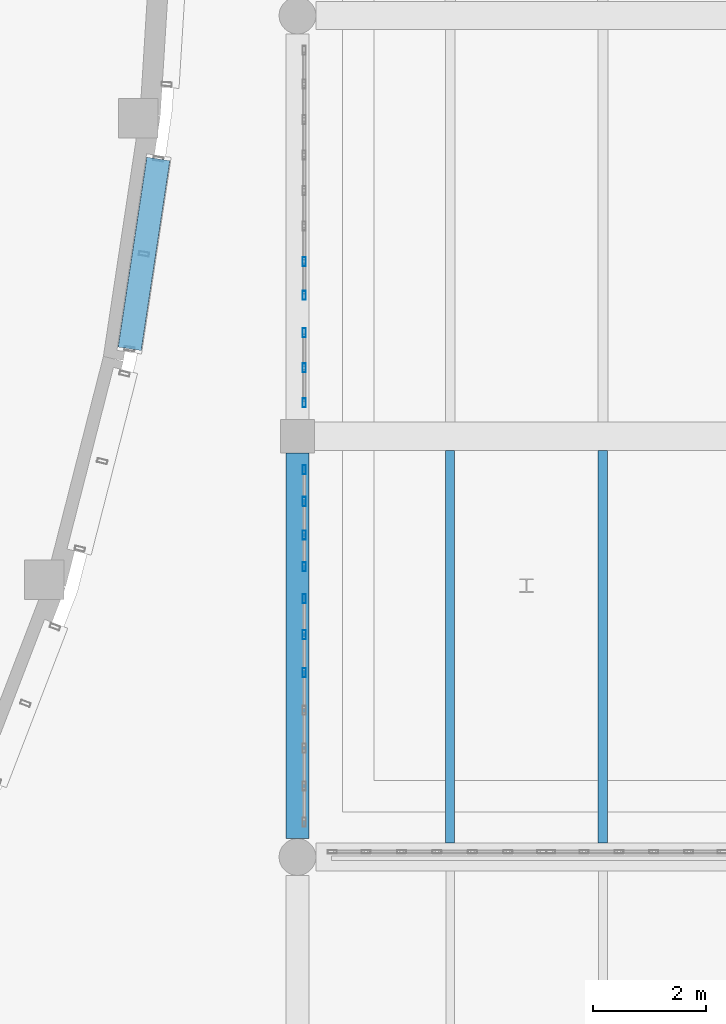
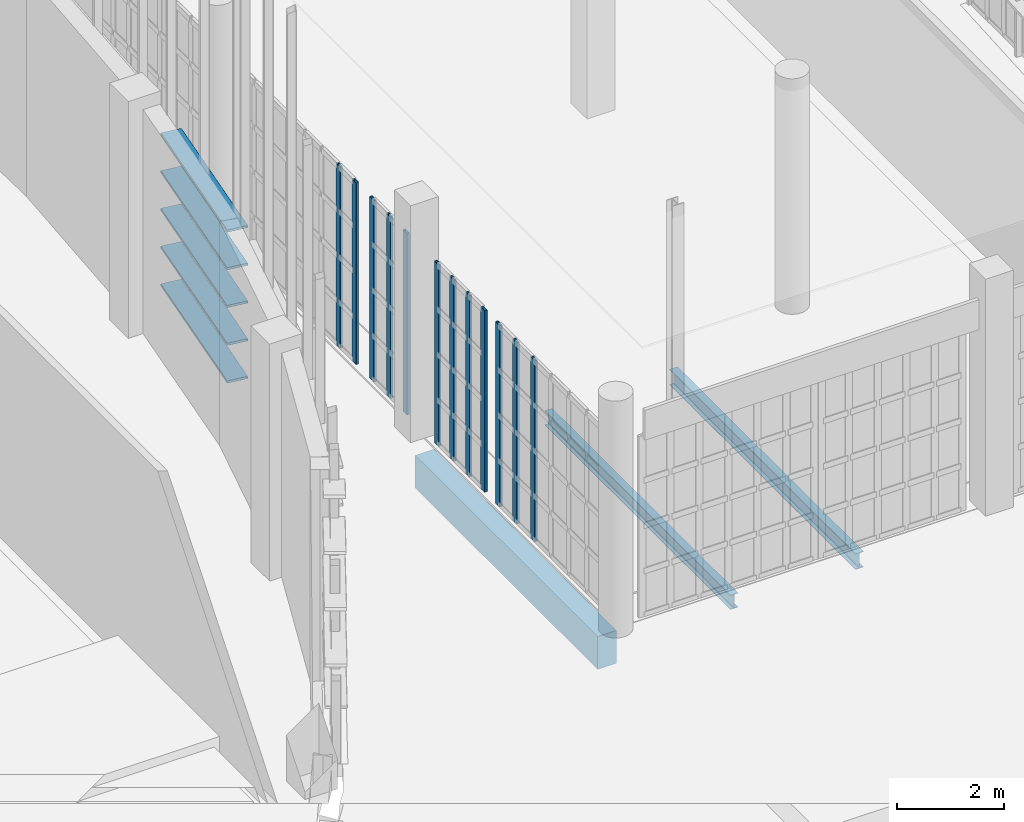
# One storey, part 218 of 372: 17 members, 3 beams, 4 elements without a shape of their own.
"""IFC4 building model written with IfcOpenShell, lengths in metres."""

from ifc_helpers import new_model, si_unit, direction, frame, origin, origin_2d, place, context, subcontext, project, spatial, rectangle, hollow_rectangle, i_section, extrude, material, material_profile, profile_set, type_object, element, aggregate, save


model = new_model("IFC4")

# Units and contexts
model_context = context("Model", 3, precision=1e-05, world=origin(), true_north=direction((0.0, 1.0)))
body_context = subcontext(model_context, "Body", "Model", "MODEL_VIEW")
ifc_project = project(units=[si_unit("LENGTHUNIT", "METRE"), si_unit("AREAUNIT", "SQUARE_METRE"), si_unit("VOLUMEUNIT", "CUBIC_METRE"), si_unit("PLANEANGLEUNIT", "RADIAN"), si_unit("MASSUNIT", "GRAM", prefix="KILO")], contexts=[model_context])

# Site, building, storey
site_placement = place(None, origin())
site = spatial("IfcSite", under=ifc_project, at=site_placement, CompositionType="ELEMENT")
building_placement = place(site_placement, origin())
building = spatial("IfcBuilding", under=site, at=building_placement, Name="Kaelora Sail Theatre", CompositionType="ELEMENT")
storey_placement = place(building_placement, origin())
storey = spatial("IfcBuildingStorey", under=building, at=storey_placement, Name="L00", CompositionType="ELEMENT", Elevation=0.0)

# Members
ifc_material_1 = material(Name="Anodised aluminium 6063-T6", Category="aluminium")
ifc_material_profile_1 = material_profile(ifc_material_1, hollow_rectangle(XDim=0.419921875, YDim=0.054931640625, WallThickness=0.00390625, InnerFilletRadius=0.00390625, OuterFilletRadius=0.008056640625, at=origin_2d()), Name="LOUVRE 420x55x4")
ifc_profile_set_1 = profile_set([ifc_material_profile_1], Name="Anodised aluminium 6063-T6")
member_type_1 = type_object("IfcMemberType", Name="ARC-MEM-LVR-420", PredefinedType="USERDEFINED", material=ifc_profile_set_1)
for number, where, z_axis, x_axis, name in (
    (1, (104.340087890625, 51.04443359375, 1.25), (-0.149366728662, -0.98878186693, 0.0), (0.98878186693, -0.149366728662, 0.0), "Studio Theatre Sail Drum horizontal solar louvre C3-01"),
    (2, (104.340087890625, 51.04443359375, 2.110107421875), (-0.149366728662, -0.98878186693, 0.0), (0.98878186693, -0.149366728662, 0.0), "Studio Theatre Sail Drum horizontal solar louvre C3-02"),
    (3, (104.340087890625, 51.04443359375, 2.969970703125), (-0.149366728662, -0.98878186693, 0.0), (0.98878186693, -0.149366728662, 0.0), "Studio Theatre Sail Drum horizontal solar louvre C3-03"),
    (4, (104.340087890625, 51.04443359375, 3.830078125), (-0.149366728662, -0.98878186693, 0.0), (0.98878186693, -0.149366728662, 0.0), "Studio Theatre Sail Drum horizontal solar louvre C3-04"),
    (5, (104.340087890625, 51.04443359375, 4.68994140625), (-0.149366728662, -0.98878186693, 0.0), (0.98878186693, -0.149366728662, 0.0), "Studio Theatre Sail Drum horizontal solar louvre C3-05"),
):
    element("IfcMember", number, at=place(storey_placement, frame(where, z_axis=z_axis, x_axis=x_axis)), inside=storey, type_object=member_type_1, Name=name, ObjectType="LOUVRE", PredefinedType="USERDEFINED", context=body_context, shape_type="SweptSolid", body=[
        extrude(hollow_rectangle(XDim=0.419921875, YDim=0.054931640625, WallThickness=0.00390625, InnerFilletRadius=0.00390625, OuterFilletRadius=0.008056640625, at=origin_2d()), origin(), (0.0, 0.0, 1.0), 3.396484375),
    ])

# Curtain wall, members
ifc_material_2 = material(Name="Anodised aluminium and solar-control low-E IGU", Category="aluminium")
curtain_wall_type = type_object("IfcCurtainWallType", Name="ARC-CW-CW-FOY2", PredefinedType="NOTDEFINED", material=ifc_material_2)
curtain_wall_1_placement = place(storey_placement, origin())
curtain_wall_1 = element("IfcCurtainWall", 6, at=curtain_wall_1_placement, inside=storey, type_object=curtain_wall_type, Name="East Interstitial Foyer West Glazed Return L00-01", PredefinedType="NOTDEFINED")
ifc_material_3 = material(Name="Anodised aluminium 6063-T6", Category="aluminium")
ifc_material_profile_2 = material_profile(ifc_material_3, hollow_rectangle(XDim=0.06005859375, YDim=0.159912109375, WallThickness=0.00390625, InnerFilletRadius=0.00390625, OuterFilletRadius=0.008056640625, at=origin_2d()), Name="ALU-MULL 60x160x4")
ifc_profile_set_2 = profile_set([ifc_material_profile_2], Name="Anodised aluminium 6063-T6")
member_type_2 = type_object("IfcMemberType", Name="ARC-MEM-ML-160", PredefinedType="MULLION", material=ifc_profile_set_2)
member_1_placement = place(storey_placement, frame((106.919921875, 41.961669921875, 0.0), z_axis=(0.0, 0.0, 1.0), x_axis=(-1.0, 0.0, 0.0)))
member_1 = element("IfcMember", 7, at=member_1_placement, type_object=member_type_2, Name="CW-FOY2 mullion 5", PredefinedType="MULLION", context=body_context, shape_type="SweptSolid", body=[
    extrude(hollow_rectangle(XDim=0.06005859375, YDim=0.159912109375, WallThickness=0.00390625, InnerFilletRadius=0.00390625, OuterFilletRadius=0.008056640625, at=origin_2d()), origin(), (0.0, 0.0, 1.0), 4.136962890625),
])
member_2_placement = place(storey_placement, frame((106.919921875, 42.630859375, 0.0), z_axis=(0.0, 0.0, 1.0), x_axis=(-1.0, 0.0, 0.0)))
member_2 = element("IfcMember", 8, at=member_2_placement, type_object=member_type_2, Name="CW-FOY2 mullion 6", PredefinedType="MULLION", context=body_context, shape_type="SweptSolid", body=[
    extrude(hollow_rectangle(XDim=0.06005859375, YDim=0.159912109375, WallThickness=0.00390625, InnerFilletRadius=0.00390625, OuterFilletRadius=0.008056640625, at=origin_2d()), origin(), (0.0, 0.0, 1.0), 4.136962890625),
])
member_3_placement = place(storey_placement, frame((106.919921875, 43.27001953125, 0.0), z_axis=(0.0, 0.0, 1.0), x_axis=(-1.0, 0.0, 0.0)))
member_3 = element("IfcMember", 9, at=member_3_placement, type_object=member_type_2, Name="CW-FOY2 mullion 7", PredefinedType="MULLION", context=body_context, shape_type="SweptSolid", body=[
    extrude(hollow_rectangle(XDim=0.06005859375, YDim=0.159912109375, WallThickness=0.00390625, InnerFilletRadius=0.00390625, OuterFilletRadius=0.008056640625, at=origin_2d()), origin(), (0.0, 0.0, 1.0), 4.136962890625),
])
aggregate(curtain_wall_1, [member_1, member_2, member_3])

curtain_wall_2_placement = place(storey_placement, origin())
curtain_wall_2 = element("IfcCurtainWall", 10, at=curtain_wall_2_placement, inside=storey, type_object=curtain_wall_type, Name="East Interstitial Foyer West Glazed Return L00-02", PredefinedType="NOTDEFINED")
member_4_placement = place(storey_placement, frame((106.919921875, 43.830078125, 0.0), z_axis=(0.0, 0.0, 1.0), x_axis=(-1.0, 0.0, 0.0)))
member_4 = element("IfcMember", 11, at=member_4_placement, type_object=member_type_2, Name="CW-FOY2 mullion 1", PredefinedType="MULLION", context=body_context, shape_type="SweptSolid", body=[
    extrude(hollow_rectangle(XDim=0.06005859375, YDim=0.159912109375, WallThickness=0.00390625, InnerFilletRadius=0.00390625, OuterFilletRadius=0.008056640625, at=origin_2d()), origin(), (0.0, 0.0, 1.0), 4.136962890625),
])
member_5_placement = place(storey_placement, frame((106.919921875, 44.393310546875, 0.0), z_axis=(0.0, 0.0, 1.0), x_axis=(-1.0, 0.0, 0.0)))
member_5 = element("IfcMember", 12, at=member_5_placement, type_object=member_type_2, Name="CW-FOY2 mullion 2", PredefinedType="MULLION", context=body_context, shape_type="SweptSolid", body=[
    extrude(hollow_rectangle(XDim=0.06005859375, YDim=0.159912109375, WallThickness=0.00390625, InnerFilletRadius=0.00390625, OuterFilletRadius=0.008056640625, at=origin_2d()), origin(), (0.0, 0.0, 1.0), 4.136962890625),
])
member_6_placement = place(storey_placement, frame((106.919921875, 44.986572265625, 0.0), z_axis=(0.0, 0.0, 1.0), x_axis=(-1.0, 0.0, 0.0)))
member_6 = element("IfcMember", 13, at=member_6_placement, type_object=member_type_2, Name="CW-FOY2 mullion 3", PredefinedType="MULLION", context=body_context, shape_type="SweptSolid", body=[
    extrude(hollow_rectangle(XDim=0.06005859375, YDim=0.159912109375, WallThickness=0.00390625, InnerFilletRadius=0.00390625, OuterFilletRadius=0.008056640625, at=origin_2d()), origin(), (0.0, 0.0, 1.0), 4.136962890625),
])
member_7_placement = place(storey_placement, frame((106.919921875, 45.550048828125, 0.0), z_axis=(0.0, 0.0, 1.0), x_axis=(-1.0, 0.0, 0.0)))
member_7 = element("IfcMember", 14, at=member_7_placement, type_object=member_type_2, Name="CW-FOY2 mullion 4", PredefinedType="MULLION", context=body_context, shape_type="SweptSolid", body=[
    extrude(hollow_rectangle(XDim=0.06005859375, YDim=0.159912109375, WallThickness=0.00390625, InnerFilletRadius=0.00390625, OuterFilletRadius=0.008056640625, at=origin_2d()), origin(), (0.0, 0.0, 1.0), 4.136962890625),
])
aggregate(curtain_wall_2, [member_4, member_5, member_6, member_7])

curtain_wall_3_placement = place(storey_placement, origin())
curtain_wall_3 = element("IfcCurtainWall", 15, at=curtain_wall_3_placement, inside=storey, type_object=curtain_wall_type, Name="East Interstitial Foyer West Glazed Return L00-02", PredefinedType="NOTDEFINED")
member_8_placement = place(storey_placement, frame((106.919921875, 46.72998046875, 0.0), z_axis=(0.0, 0.0, 1.0), x_axis=(-1.0, 0.0, 0.0)))
member_8 = element("IfcMember", 16, at=member_8_placement, type_object=member_type_2, Name="CW-FOY2 mullion 1", PredefinedType="MULLION", context=body_context, shape_type="SweptSolid", body=[
    extrude(hollow_rectangle(XDim=0.06005859375, YDim=0.159912109375, WallThickness=0.00390625, InnerFilletRadius=0.00390625, OuterFilletRadius=0.008056640625, at=origin_2d()), origin(), (0.0, 0.0, 1.0), 4.136962890625),
])
member_9_placement = place(storey_placement, frame((106.919921875, 47.35009765625, 0.0), z_axis=(0.0, 0.0, 1.0), x_axis=(-1.0, 0.0, 0.0)))
member_9 = element("IfcMember", 17, at=member_9_placement, type_object=member_type_2, Name="CW-FOY2 mullion 2", PredefinedType="MULLION", context=body_context, shape_type="SweptSolid", body=[
    extrude(hollow_rectangle(XDim=0.06005859375, YDim=0.159912109375, WallThickness=0.00390625, InnerFilletRadius=0.00390625, OuterFilletRadius=0.008056640625, at=origin_2d()), origin(), (0.0, 0.0, 1.0), 4.136962890625),
])
member_10_placement = place(storey_placement, frame((106.919921875, 47.969970703125, 0.0), z_axis=(0.0, 0.0, 1.0), x_axis=(-1.0, 0.0, 0.0)))
member_10 = element("IfcMember", 18, at=member_10_placement, type_object=member_type_2, Name="CW-FOY2 mullion 3", PredefinedType="MULLION", context=body_context, shape_type="SweptSolid", body=[
    extrude(hollow_rectangle(XDim=0.06005859375, YDim=0.159912109375, WallThickness=0.00390625, InnerFilletRadius=0.00390625, OuterFilletRadius=0.008056640625, at=origin_2d()), origin(), (0.0, 0.0, 1.0), 4.136962890625),
])
aggregate(curtain_wall_3, [member_8, member_9, member_10])

curtain_wall_4_placement = place(storey_placement, origin())
curtain_wall_4 = element("IfcCurtainWall", 19, at=curtain_wall_4_placement, inside=storey, type_object=curtain_wall_type, Name="East Interstitial Foyer West Glazed Return L00-03", PredefinedType="NOTDEFINED")
member_11_placement = place(storey_placement, frame((106.919921875, 48.6298828125, 0.0), z_axis=(0.0, 0.0, 1.0), x_axis=(-1.0, 0.0, 0.0)))
member_11 = element("IfcMember", 20, at=member_11_placement, type_object=member_type_2, Name="CW-FOY2 mullion 1", PredefinedType="MULLION", context=body_context, shape_type="SweptSolid", body=[
    extrude(hollow_rectangle(XDim=0.06005859375, YDim=0.159912109375, WallThickness=0.00390625, InnerFilletRadius=0.00390625, OuterFilletRadius=0.008056640625, at=origin_2d()), origin(), (0.0, 0.0, 1.0), 4.136962890625),
])
member_12_placement = place(storey_placement, frame((106.919921875, 49.227783203125, 0.0), z_axis=(0.0, 0.0, 1.0), x_axis=(-1.0, 0.0, 0.0)))
member_12 = element("IfcMember", 21, at=member_12_placement, type_object=member_type_2, Name="CW-FOY2 mullion 2", PredefinedType="MULLION", context=body_context, shape_type="SweptSolid", body=[
    extrude(hollow_rectangle(XDim=0.06005859375, YDim=0.159912109375, WallThickness=0.00390625, InnerFilletRadius=0.00390625, OuterFilletRadius=0.008056640625, at=origin_2d()), origin(), (0.0, 0.0, 1.0), 4.136962890625),
])
aggregate(curtain_wall_4, [member_11, member_12])

# Beams
ifc_material_4 = material(Name="Concrete C40/50", Category="concrete")
ifc_material_profile_3 = material_profile(ifc_material_4, rectangle(XDim=0.39990234375, YDim=0.75, at=origin_2d()), Name="RC-BM 400x750")
ifc_profile_set_3 = profile_set([ifc_material_profile_3], Name="Concrete C40/50")
beam_type_1 = type_object("IfcBeamType", Name="STR-BM-BM-RC4075", PredefinedType="BEAM", material=ifc_profile_set_3)
beam_1_placement = place(storey_placement, frame((106.800048828125, 39.02490234375, -0.695068359375), z_axis=(0.0, 1.0, 0.0), x_axis=(-1.0, 0.0, 0.0)))
element("IfcBeam", 22, at=beam_1_placement, inside=storey, type_object=beam_type_1, Name="Primary beam 14 F-G (L00)", PredefinedType="BEAM", context=body_context, shape_type="SweptSolid", body=[
    extrude(rectangle(XDim=0.39990234375, YDim=0.75, at=origin_2d()), origin(), (0.0, 0.0, 1.0), 6.815185546875),
])
ifc_material_5 = material(Name="Steel S355", Category="steel")
ifc_material_profile_4 = material_profile(ifc_material_5, i_section(OverallWidth=0.159912109375, OverallDepth=0.330078125, WebThickness=0.007568359375, FlangeThickness=0.011474609375, FilletRadius=0.01806640625, at=origin_2d()), Name="IPE 330")
ifc_profile_set_4 = profile_set([ifc_material_profile_4], Name="Steel S355")
beam_type_2 = type_object("IfcBeamType", Name="STR-BM-JS-IPE330", PredefinedType="JOIST", material=ifc_profile_set_4)
beam_2_placement = place(storey_placement, frame((109.5, 38.949951171875, -0.485107421875), z_axis=(0.0, 1.0, 0.0), x_axis=(-1.0, 0.0, 0.0)))
element("IfcBeam", 23, at=beam_2_placement, inside=storey, type_object=beam_type_2, Name="Secondary floor joist 14/F-1 (L00)", PredefinedType="JOIST", context=body_context, shape_type="SweptSolid", body=[
    extrude(i_section(OverallWidth=0.159912109375, OverallDepth=0.330078125, WebThickness=0.007568359375, FlangeThickness=0.011474609375, FilletRadius=0.01806640625, at=origin_2d()), origin(), (0.0, 0.0, 1.0), 6.93994140625),
])
ifc_material_6 = material(Name="Steel S355", Category="steel")
ifc_material_profile_5 = material_profile(ifc_material_6, i_section(OverallWidth=0.169921875, OverallDepth=0.360107421875, WebThickness=0.008056640625, FlangeThickness=0.0126953125, FilletRadius=0.01806640625, at=origin_2d()), Name="IPE 360")
ifc_profile_set_5 = profile_set([ifc_material_profile_5], Name="Steel S355")
beam_type_3 = type_object("IfcBeamType", Name="STR-BM-JS-IPE360", PredefinedType="JOIST", material=ifc_profile_set_5)
beam_3_placement = place(storey_placement, frame((112.199951171875, 38.949951171875, -0.5), z_axis=(0.0, 1.0, 0.0), x_axis=(-1.0, 0.0, 0.0)))
element("IfcBeam", 24, at=beam_3_placement, inside=storey, type_object=beam_type_3, Name="Secondary floor joist 14/F-2 (L00)", PredefinedType="JOIST", context=body_context, shape_type="SweptSolid", body=[
    extrude(i_section(OverallWidth=0.169921875, OverallDepth=0.360107421875, WebThickness=0.008056640625, FlangeThickness=0.0126953125, FilletRadius=0.01806640625, at=origin_2d()), origin(), (0.0, 0.0, 1.0), 6.93994140625),
])

save(model, "model.ifc")
